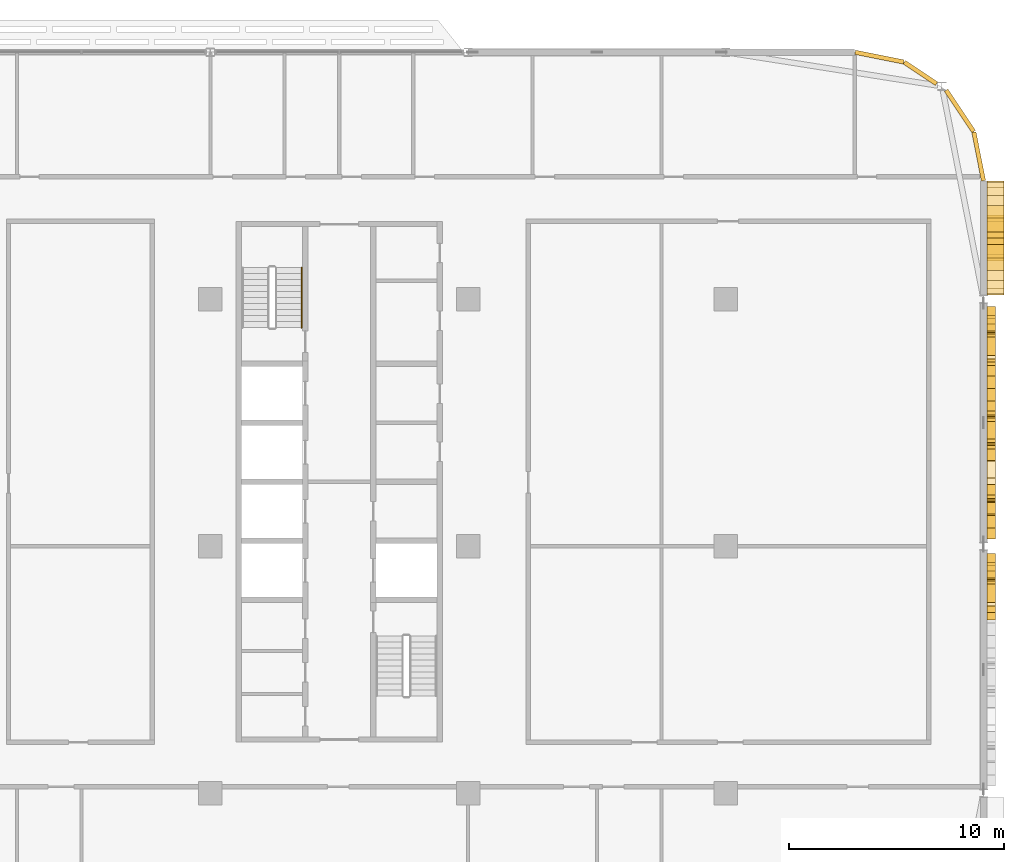
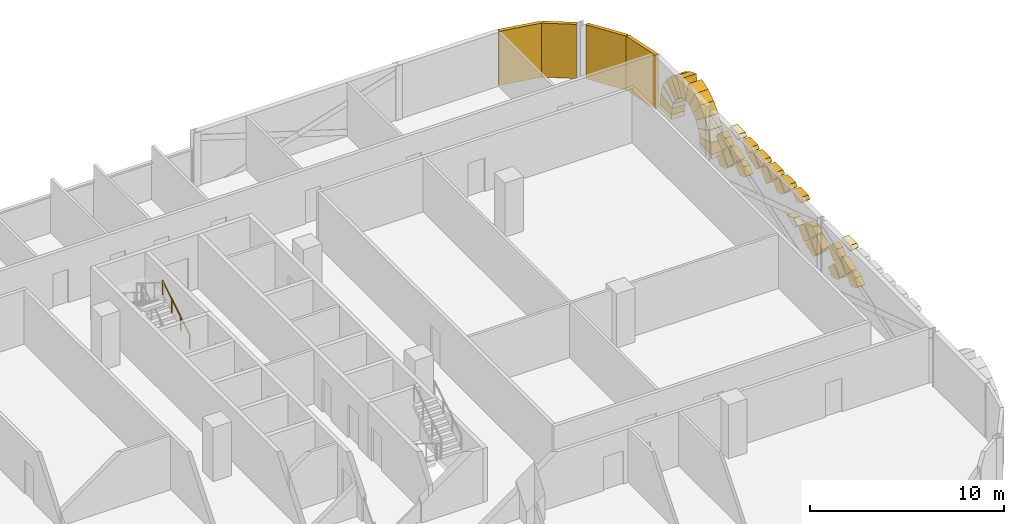
# One storey, part 30 of 30: 43 coverings, 1 railing.
"""IFC4 building model written with IfcOpenShell, lengths in metres."""

from ifc_helpers import new_model, si_unit, direction, frame, origin, origin_2d, place, context, subcontext, project, spatial, polyline, rectangle, circle, outline, extrude, material, layer, layer_set, type_object, element, save


model = new_model("IFC4")

# Units and contexts
model_context = context("Model", 3, precision=1e-05, world=origin(), true_north=direction((0.0, 1.0)))
body_context = subcontext(model_context, "Body", "Model", "MODEL_VIEW")
ifc_project = project(units=[si_unit("LENGTHUNIT", "METRE"), si_unit("AREAUNIT", "SQUARE_METRE"), si_unit("VOLUMEUNIT", "CUBIC_METRE"), si_unit("PLANEANGLEUNIT", "RADIAN"), si_unit("MASSUNIT", "GRAM", prefix="KILO")], contexts=[model_context])

# Site, building, storey
site_placement = place(None, origin())
site = spatial("IfcSite", under=ifc_project, at=site_placement, CompositionType="ELEMENT")
building_placement = place(site_placement, origin())
building = spatial("IfcBuilding", under=site, at=building_placement, Name="Mahtab Terrace Research Tower", CompositionType="ELEMENT")
storey_placement = place(building_placement, frame((0.0, 0.0, 220.5)))
storey = spatial("IfcBuildingStorey", under=building, at=storey_placement, Name="L53", CompositionType="ELEMENT", Elevation=220.5)

# Coverings
ifc_material_1 = material(Name="Black aluminium cladding panel", Category="aluminium")
ifc_layer_1 = layer(ifc_material_1, 0.199951171875)
ifc_layer_set_1 = layer_set([ifc_layer_1], Name="Black metal corner cladding 200")
covering_type_1 = type_object("IfcCoveringType", Name="Black metal corner cladding 200", PredefinedType="CLADDING", material=ifc_layer_set_1)
covering_1_placement = place(storey_placement, frame((52.89306640625, 20.26953125, 0.0), z_axis=(0.0, 0.0, 1.0), x_axis=(-0.555291490808, 0.831655794326, 0.0)))
element("IfcCovering", 1, at=covering_1_placement, inside=storey, type_object=covering_type_1, Name="Corner cladding L53 0", PredefinedType="CLADDING", context=body_context, shape_type="SweptSolid", body=[
    extrude(rectangle(XDim=2.30126953125, YDim=0.199951171875, at=origin_2d()), origin(), (0.0, 0.0, 1.0), 3.39990234375),
])
covering_2_placement = place(storey_placement, frame((51.059814453125, 22.032958984375, 0.0), z_axis=(0.0, 0.0, 1.0), x_axis=(-0.831655794326, 0.555291490808, 0.0)))
element("IfcCovering", 2, at=covering_2_placement, inside=storey, type_object=covering_type_1, Name="Corner cladding L53 1", PredefinedType="CLADDING", context=body_context, shape_type="SweptSolid", body=[
    extrude(rectangle(XDim=1.797119140625, YDim=0.199951171875, at=origin_2d()), origin(), (0.0, 0.0, 1.0), 3.39990234375),
])
for number, where, z_axis, x_axis, name in (
    (3, (49.14794921875, 22.771484375, 0.0), (0.0, 0.0, 1.0), (-0.980760981187, 0.195212442692, 0.0), "Corner cladding L53 2"),
    (4, (53.771484375, 18.14794921875, 0.0), (0.0, 0.0, 1.0), (-0.195212442692, 0.980760981187, 0.0), "Corner cladding L53 39"),
):
    element("IfcCovering", number, at=place(storey_placement, frame(where, z_axis=z_axis, x_axis=x_axis)), inside=storey, type_object=covering_type_1, Name=name, PredefinedType="CLADDING", context=body_context, shape_type="SweptSolid", body=[
        extrude(rectangle(XDim=2.30126953125, YDim=0.199951171875, at=origin_2d()), origin(), (0.0, 0.0, 1.0), 3.39990234375),
    ])
ifc_material_2 = material(Name="Bronze anodised aluminium", Category="aluminium")
ifc_layer_2 = layer(ifc_material_2, 0.39990234375)
ifc_layer_set_2 = layer_set([ifc_layer_2], Name="Mashrabiya relief panel 400")
covering_type_2 = type_object("IfcCoveringType", Name="Mashrabiya relief panel 400", PredefinedType="CLADDING", material=ifc_layer_set_2)
covering_3_placement = place(storey_placement, frame((54.14990234375, -3.429931640625, 1.14990234375), z_axis=(-1.0, 0.0, 0.0), x_axis=(0.0, 0.706856610759, 0.707356863137)))
element("IfcCovering", 5, at=covering_3_placement, inside=storey, type_object=covering_type_2, Name="Mashrabiya lattice cell L53 E36.14", PredefinedType="CLADDING", context=body_context, shape_type="SweptSolid", body=[
    extrude(outline(polyline([(0.0, 0.0), (0.48803491100524127, -2.7755575615628914e-17), (0.820294333510222, 0.1698162635092526), (0.8198915424105764, 0.8204717912020912), (0.25572532748254045, 0.8202722276311935), (-0.0001119949782822649, 0.31660980360404467), (0.0, 0.0)])), origin(), (0.0, 0.0, -1.0), 0.39990234375),
])
covering_4_placement = place(storey_placement, frame((54.14990234375, -1.6201171875, 1.800048828125), z_axis=(-1.0, 0.0, 0.0), x_axis=(0.0, -0.706957932274, -0.707255598772)))
element("IfcCovering", 6, at=covering_4_placement, inside=storey, type_object=covering_type_2, Name="Mashrabiya lattice cell L53 E36.15", PredefinedType="CLADDING", context=body_context, shape_type="SweptSolid", body=[
    extrude(outline(polyline([(0.0, 0.0), (0.8201817362875763, 0.0), (0.8200552134915144, 0.60110980408978), (-3.8371071981985194e-05, 0.18230096298644677), (0.0, 0.0)])), origin(), (0.0, 0.0, -1.0), 0.39990234375),
])
covering_5_placement = place(storey_placement, frame((54.14990234375, -2.780029296875, 3.10009765625), z_axis=(-1.0, 0.0, 0.0), x_axis=(0.0, 0.707629982438, 0.706583192523)))
element("IfcCovering", 7, at=covering_5_placement, inside=storey, type_object=covering_type_2, Name="Mashrabiya lattice cell L53 E36.16", PredefinedType="CLADDING", context=body_context, shape_type="SweptSolid", body=[
    extrude(outline(polyline([(0.0, 0.0), (0.23322791090833506, 0.0), (0.8206160799238383, 0.5865192516057169), (0.8207885855860753, 0.8195744012878711), (0.00030054319820840836, 0.40603386077957504), (0.0, 0.0)])), origin(), (0.0, 0.0, -1.0), 0.39990234375),
])
covering_6_placement = place(storey_placement, frame((54.14990234375, -1.550048828125, 1.72998046875), z_axis=(-1.0, 0.0, 0.0), x_axis=(0.0, 0.707106781187, -0.707106781187)))
element("IfcCovering", 8, at=covering_6_placement, inside=storey, type_object=covering_type_2, Name="Mashrabiya lattice cell L53 E36.17", PredefinedType="CLADDING", context=body_context, shape_type="SweptSolid", body=[
    extrude(outline(polyline([(0.0, 0.0), (0.8203543516109556, 0.0), (0.820181718119455, 0.820181718119455), (0.0001726334915006511, 0.820181718119455), (0.0, 0.0)])), origin(), (0.0, 0.0, -1.0), 0.39990234375),
])
covering_7_placement = place(storey_placement, frame((54.14990234375, -1.47998046875, 0.5), z_axis=(-1.0, 0.0, 0.0), x_axis=(0.0, 0.707106781187, 0.707106781187)))
element("IfcCovering", 9, at=covering_7_placement, inside=storey, type_object=covering_type_2, Name="Mashrabiya lattice cell L53 E36.18", PredefinedType="CLADDING", context=body_context, shape_type="SweptSolid", body=[
    extrude(outline(polyline([(0.0, 0.0), (0.8203543516109556, 0.0), (0.820181718119455, 0.7991204321563791), (0.7991204321563791, 0.820181718119455), (0.30400757853259525, 0.8201817181194548), (0.2418595215923714, 0.7580336611792311), (0.0, 0.28277365907801877), (0.0, 0.0)])), origin(), (0.0, 0.0, -1.0), 0.39990234375),
])
covering_8_placement = place(storey_placement, frame((54.14990234375, -0.89990234375, 1.219970703125), z_axis=(-1.0, 0.0, 0.0), x_axis=(0.0, -0.707106781187, 0.707106781187)))
element("IfcCovering", 10, at=covering_8_placement, inside=storey, type_object=covering_type_2, Name="Mashrabiya lattice cell L53 E36.19", PredefinedType="CLADDING", context=body_context, shape_type="SweptSolid", body=[
    extrude(outline(polyline([(0.0, 0.0), (0.8203543516109556, 0.0), (0.8203543516109555, 0.45540715057864073), (0.6337375472987833, 0.820181718119455), (0.021233919454576533, 0.820181718119455), (0.0, 0.7989477986648784), (0.0, 0.0)])), origin(), (0.0, 0.0, -1.0), 0.39990234375),
])
covering_9_placement = place(storey_placement, frame((54.14990234375, 0.85009765625, 1.72998046875), z_axis=(-1.0, 0.0, 0.0), x_axis=(0.0, 0.706957932274, -0.707255598772)))
element("IfcCovering", 11, at=covering_9_placement, inside=storey, type_object=covering_type_2, Name="Mashrabiya lattice cell L53 E37.1", PredefinedType="CLADDING", context=body_context, shape_type="SweptSolid", body=[
    extrude(outline(polyline([(0.0, 0.0), (0.8201817362875763, 0.0), (0.8203543334390104, 0.8200090664636573), (0.09201368526784859, 0.8203350025580498), (-1.9330880960621855e-05, 0.7283407208436468), (0.0, 0.0)])), origin(), (0.0, 0.0, -1.0), 0.39990234375),
])
covering_10_placement = place(storey_placement, frame((54.14990234375, 0.919921875, 0.5), z_axis=(-1.0, 0.0, 0.0), x_axis=(0.0, 0.707106781187, 0.707106781187)))
element("IfcCovering", 12, at=covering_10_placement, inside=storey, type_object=covering_type_2, Name="Mashrabiya lattice cell L53 E37.2", PredefinedType="CLADDING", context=body_context, shape_type="SweptSolid", body=[
    extrude(outline(polyline([(0.0, 0.0), (0.8203543516109556, 0.0), (0.820181718119455, 0.756652593247226), (0.0, 0.3380163763582178), (0.0, 0.0)])), origin(), (0.0, 0.0, -1.0), 0.39990234375),
])
covering_11_placement = place(storey_placement, frame((54.14990234375, 2.080078125, 1.800048828125), z_axis=(-1.0, 0.0, 0.0), x_axis=(0.0, -0.707106781187, -0.707106781187)))
element("IfcCovering", 13, at=covering_11_placement, inside=storey, type_object=covering_type_2, Name="Mashrabiya lattice cell L53 E37.3", PredefinedType="CLADDING", context=body_context, shape_type="SweptSolid", body=[
    extrude(outline(polyline([(0.0, 0.0), (0.8203543516109556, 0.0), (0.8203543516109556, 0.8203543516109556), (0.39464016157042175, 0.8203543516109555), (0.0, 0.045229974773162956), (0.0, 0.0)])), origin(), (0.0, 0.0, -1.0), 0.39990234375),
])
covering_12_placement = place(storey_placement, frame((54.14990234375, 1.570068359375, 1.14990234375), z_axis=(-1.0, 0.0, 0.0), x_axis=(0.0, 0.706957932274, 0.707255598772)))
element("IfcCovering", 14, at=covering_12_placement, inside=storey, type_object=covering_type_2, Name="Mashrabiya lattice cell L53 E37.4", PredefinedType="CLADDING", context=body_context, shape_type="SweptSolid", body=[
    extrude(outline(polyline([(0.0, 0.0), (0.8201817362875763, 0.0), (0.8200090664636573, 0.8203543334390104), (0.02675822692610913, 0.8200147349174729), (-0.00016961757955680223, 0.8058531204741795), (0.0, 0.0)])), origin(), (0.0, 0.0, -1.0), 0.39990234375),
])
covering_13_placement = place(storey_placement, frame((54.14990234375, 2.219970703125, 3.10009765625), z_axis=(-1.0, 0.0, 0.0), x_axis=(0.0, 0.707629982438, 0.706583192523)))
element("IfcCovering", 15, at=covering_13_placement, inside=storey, type_object=covering_type_2, Name="Mashrabiya lattice cell L53 E37.5", PredefinedType="CLADDING", context=body_context, shape_type="SweptSolid", body=[
    extrude(outline(polyline([(0.0, 0.0), (0.23322791090833506, 0.0), (0.8206160799238383, 0.5865192516057169), (0.8207885855860753, 0.8195744012878711), (0.20707681920504167, 0.8202012996426374), (0.00013519332640499204, 0.4158740948814602), (0.0, 0.0)])), origin(), (0.0, 0.0, -1.0), 0.39990234375),
])
covering_14_placement = place(storey_placement, frame((54.14990234375, 2.8701171875, 1.14990234375), z_axis=(-1.0, 0.0, 0.0), x_axis=(0.0, 0.707106781187, 0.707106781187)))
element("IfcCovering", 16, at=covering_14_placement, inside=storey, type_object=covering_type_2, Name="Mashrabiya lattice cell L53 E37.6", PredefinedType="CLADDING", context=body_context, shape_type="SweptSolid", body=[
    extrude(outline(polyline([(0.0, 0.0), (0.4426322722075947, 0.0), (0.8203543516109556, 0.7409429455206694), (0.8203543516109556, 0.7733980419227865), (0.0, 0.3549344585252788), (0.0, 0.0)])), origin(), (0.0, 0.0, -1.0), 0.39990234375),
])
covering_15_placement = place(storey_placement, frame((54.14990234375, 4.679931640625, 3.10009765625), z_axis=(-1.0, 0.0, 0.0), x_axis=(0.0, -0.706957932274, -0.707255598772)))
element("IfcCovering", 17, at=covering_15_placement, inside=storey, type_object=covering_type_2, Name="Mashrabiya lattice cell L53 E37.7", PredefinedType="CLADDING", context=body_context, shape_type="SweptSolid", body=[
    extrude(outline(polyline([(0.0, 0.0), (0.8201817362875763, 0.0), (0.8200090664636573, 0.8203543334390104), (0.586781260948868, 0.8201326096878417), (0.00012354322418443864, 0.2332278781872742), (0.0, 0.0)])), origin(), (0.0, 0.0, -1.0), 0.39990234375),
])
covering_16_placement = place(storey_placement, frame((54.14990234375, 4.169921875, 2.449951171875), z_axis=(-1.0, 0.0, 0.0), x_axis=(0.0, 0.707106781187, 0.707106781187)))
element("IfcCovering", 18, at=covering_16_placement, inside=storey, type_object=covering_type_2, Name="Mashrabiya lattice cell L53 E37.8", PredefinedType="CLADDING", context=body_context, shape_type="SweptSolid", body=[
    extrude(outline(polyline([(0.0, 0.0), (0.8203543516109556, 0.0), (0.8203543516109556, 0.8203543516109556), (0.2221793035613005, 0.8201817181194551), (0.0, 0.3832463511313808), (0.0, 0.0)])), origin(), (0.0, 0.0, -1.0), 0.39990234375),
])
covering_17_placement = place(storey_placement, frame((54.14990234375, 5.97998046875, 3.10009765625), z_axis=(-1.0, 0.0, 0.0), x_axis=(0.0, -0.707106781187, -0.707106781187)))
element("IfcCovering", 19, at=covering_17_placement, inside=storey, type_object=covering_type_2, Name="Mashrabiya lattice cell L53 E37.9", PredefinedType="CLADDING", context=body_context, shape_type="SweptSolid", body=[
    extrude(outline(polyline([(0.0, 0.0), (0.8203543516109556, 0.0), (0.820181718119455, 0.820181718119455), (0.5869538711021147, 0.8200090846279544), (0.00017263349150062335, 0.23322784701734028), (0.0, 0.0)])), origin(), (0.0, 0.0, -1.0), 0.39990234375),
])
covering_18_placement = place(storey_placement, frame((54.14990234375, 6.050048828125, 3.030029296875), z_axis=(-1.0, 0.0, 0.0), x_axis=(0.0, 0.706957932274, -0.707255598772)))
element("IfcCovering", 20, at=covering_18_placement, inside=storey, type_object=covering_type_2, Name="Mashrabiya lattice cell L53 E37.10", PredefinedType="CLADDING", context=body_context, shape_type="SweptSolid", body=[
    extrude(outline(polyline([(0.0, 0.0), (0.8201817362875763, 0.0), (0.8203543334390104, 0.8200090664636573), (0.00017266982391900276, 0.8203543334390104), (0.0, 0.0)])), origin(), (0.0, 0.0, -1.0), 0.39990234375),
])
covering_19_placement = place(storey_placement, frame((54.14990234375, 7.280029296875, 3.10009765625), z_axis=(-1.0, 0.0, 0.0), x_axis=(0.0, -0.707106781187, -0.707106781187)))
element("IfcCovering", 21, at=covering_19_placement, inside=storey, type_object=covering_type_2, Name="Mashrabiya lattice cell L53 E37.11", PredefinedType="CLADDING", context=body_context, shape_type="SweptSolid", body=[
    extrude(outline(polyline([(0.0, 0.0), (0.8203543516109556, 0.0), (0.820181718119455, 0.820181718119455), (0.5871265045936153, 0.820181718119455), (0.00017263349150062335, 0.23322784701734028), (0.0, 0.0)])), origin(), (0.0, 0.0, -1.0), 0.39990234375),
])
covering_20_placement = place(storey_placement, frame((54.14990234375, 6.77001953125, 2.449951171875), z_axis=(-1.0, 0.0, 0.0), x_axis=(0.0, 0.707106781187, 0.707106781187)))
element("IfcCovering", 22, at=covering_20_placement, inside=storey, type_object=covering_type_2, Name="Mashrabiya lattice cell L53 E37.12", PredefinedType="CLADDING", context=body_context, shape_type="SweptSolid", body=[
    extrude(outline(polyline([(0.0, 0.0), (0.8203543516109556, 0.0), (0.820181718119455, 0.807406839748409), (0.0, 0.38877062285940067), (0.0, 0.0)])), origin(), (0.0, 0.0, -1.0), 0.39990234375),
])
covering_21_placement = place(storey_placement, frame((54.14990234375, 8.580078125, 3.10009765625), z_axis=(-1.0, 0.0, 0.0), x_axis=(0.0, -0.707106781187, -0.707106781187)))
element("IfcCovering", 23, at=covering_21_placement, inside=storey, type_object=covering_type_2, Name="Mashrabiya lattice cell L53 E37.13", PredefinedType="CLADDING", context=body_context, shape_type="SweptSolid", body=[
    extrude(outline(polyline([(0.0, 0.0), (0.8203543516109556, 0.0), (0.8203543516109556, 0.8203543516109556), (0.5871265045936153, 0.820181718119455), (0.00017263349150062335, 0.23322784701734028), (0.0, 0.0)])), origin(), (0.0, 0.0, -1.0), 0.39990234375),
])
covering_22_placement = place(storey_placement, frame((54.14990234375, 8.070068359375, 1.14990234375), z_axis=(-1.0, 0.0, 0.0), x_axis=(0.0, 0.706856610759, 0.707356863137)))
element("IfcCovering", 24, at=covering_22_placement, inside=storey, type_object=covering_type_2, Name="Mashrabiya lattice cell L53 E37.14", PredefinedType="CLADDING", context=body_context, shape_type="SweptSolid", body=[
    extrude(outline(polyline([(0.0, 0.0), (0.48803491100524127, -2.7755575615628914e-17), (0.820294333510222, 0.1698162635092526), (0.8198915424105764, 0.8204717912020912), (0.25572532748254045, 0.8202722276311935), (-0.0001119949782822649, 0.31660980360404467), (0.0, 0.0)])), origin(), (0.0, 0.0, -1.0), 0.39990234375),
])
covering_23_placement = place(storey_placement, frame((54.14990234375, 9.8798828125, 1.800048828125), z_axis=(-1.0, 0.0, 0.0), x_axis=(0.0, -0.706957932274, -0.707255598772)))
element("IfcCovering", 25, at=covering_23_placement, inside=storey, type_object=covering_type_2, Name="Mashrabiya lattice cell L53 E37.15", PredefinedType="CLADDING", context=body_context, shape_type="SweptSolid", body=[
    extrude(outline(polyline([(0.0, 0.0), (0.8201817362875763, 0.0), (0.8200552134915144, 0.60110980408978), (-3.8371071981985194e-05, 0.18230096298644677), (0.0, 0.0)])), origin(), (0.0, 0.0, -1.0), 0.39990234375),
])
covering_24_placement = place(storey_placement, frame((54.14990234375, 8.719970703125, 3.10009765625), z_axis=(-1.0, 0.0, 0.0), x_axis=(0.0, 0.707629982438, 0.706583192523)))
element("IfcCovering", 26, at=covering_24_placement, inside=storey, type_object=covering_type_2, Name="Mashrabiya lattice cell L53 E37.16", PredefinedType="CLADDING", context=body_context, shape_type="SweptSolid", body=[
    extrude(outline(polyline([(0.0, 0.0), (0.23322791090833506, 0.0), (0.8206160799238383, 0.5865192516057169), (0.8207885855860753, 0.8195744012878711), (0.00030054319820840836, 0.40603386077957504), (0.0, 0.0)])), origin(), (0.0, 0.0, -1.0), 0.39990234375),
])
covering_25_placement = place(storey_placement, frame((54.14990234375, 9.949951171875, 1.72998046875), z_axis=(-1.0, 0.0, 0.0), x_axis=(0.0, 0.707106781187, -0.707106781187)))
element("IfcCovering", 27, at=covering_25_placement, inside=storey, type_object=covering_type_2, Name="Mashrabiya lattice cell L53 E37.17", PredefinedType="CLADDING", context=body_context, shape_type="SweptSolid", body=[
    extrude(outline(polyline([(0.0, 0.0), (0.8203543516109556, 0.0), (0.820181718119455, 0.820181718119455), (0.0001726334915006511, 0.820181718119455), (0.0, 0.0)])), origin(), (0.0, 0.0, -1.0), 0.39990234375),
])
covering_26_placement = place(storey_placement, frame((54.14990234375, 10.02001953125, 0.5), z_axis=(-1.0, 0.0, 0.0), x_axis=(0.0, 0.707106781187, 0.707106781187)))
element("IfcCovering", 28, at=covering_26_placement, inside=storey, type_object=covering_type_2, Name="Mashrabiya lattice cell L53 E37.18", PredefinedType="CLADDING", context=body_context, shape_type="SweptSolid", body=[
    extrude(outline(polyline([(0.0, 0.0), (0.8203543516109556, 0.0), (0.820181718119455, 0.7991204321563791), (0.7991204321563791, 0.820181718119455), (0.30400757853259525, 0.8201817181194548), (0.2418595215923714, 0.7580336611792311), (0.0, 0.28277365907801877), (0.0, 0.0)])), origin(), (0.0, 0.0, -1.0), 0.39990234375),
])
covering_27_placement = place(storey_placement, frame((54.14990234375, 10.60009765625, 1.219970703125), z_axis=(-1.0, 0.0, 0.0), x_axis=(0.0, -0.707106781187, 0.707106781187)))
element("IfcCovering", 29, at=covering_27_placement, inside=storey, type_object=covering_type_2, Name="Mashrabiya lattice cell L53 E37.19", PredefinedType="CLADDING", context=body_context, shape_type="SweptSolid", body=[
    extrude(outline(polyline([(0.0, 0.0), (0.8203543516109556, 0.0), (0.8203543516109555, 0.45540715057864073), (0.6337375472987833, 0.820181718119455), (0.021233919454576533, 0.820181718119455), (0.0, 0.7989477986648784), (0.0, 0.0)])), origin(), (0.0, 0.0, -1.0), 0.39990234375),
])
ifc_material_3 = material(Name="Glazed ceramic tile cladding", Category="masonry")
ifc_layer_3 = layer(ifc_material_3, 0.800048828125)
ifc_layer_set_3 = layer_set([ifc_layer_3], Name="Pishtaq frame arch course 800")
covering_type_3 = type_object("IfcCoveringType", Name="Pishtaq frame arch course 800", PredefinedType="CLADDING", material=ifc_layer_set_3)
covering_28_placement = place(storey_placement, frame((54.14990234375, 11.699951171875, 0.291015625), z_axis=(-1.0, 0.0, 0.0), x_axis=(0.0, 0.110665855851, 0.993857670066)))
element("IfcCovering", 30, at=covering_28_placement, inside=storey, type_object=covering_type_3, Name="Pishtaq frame arch course 38a1", PredefinedType="CLADDING", context=body_context, shape_type="SweptSolid", body=[
    extrude(outline(polyline([(0.0, 0.0), (0.6860990121249132, 1.3877787807814457e-17), (0.5543801156048798, 1.1930474536272608), (0.13279362341438164, 1.1925806758725657), (0.0, 0.0)])), origin(), (0.0, 0.0, -1.0), 0.800048828125),
])
covering_29_placement = place(storey_placement, frame((54.14990234375, 11.77587890625, 0.972900390625), z_axis=(-1.0, 0.0, 0.0), x_axis=(0.0, 0.324633045019, 0.945840042545)))
element("IfcCovering", 31, at=covering_29_placement, inside=storey, type_object=covering_type_3, Name="Pishtaq frame arch course 38a2", PredefinedType="CLADDING", context=body_context, shape_type="SweptSolid", body=[
    extrude(outline(polyline([(0.0, 0.0), (0.6873746671008136, 0.0), (0.5532755759058785, 1.1931128764356689), (0.13149291775784852, 1.1930723812436834), (0.0, 0.0)])), origin(), (0.0, 0.0, -1.0), 0.800048828125),
])
covering_30_placement = place(storey_placement, frame((54.14990234375, 11.9990234375, 1.623046875), z_axis=(-1.0, 0.0, 0.0), x_axis=(0.0, 0.525901613665, 0.850545408984)))
element("IfcCovering", 32, at=covering_30_placement, inside=storey, type_object=covering_type_3, Name="Pishtaq frame arch course 38a3", PredefinedType="CLADDING", context=body_context, shape_type="SweptSolid", body=[
    extrude(outline(polyline([(0.0, 0.0), (0.6865998791263118, 0.0), (0.5557503853582076, 1.1917508083201727), (0.1332661474141386, 1.193206200172165), (0.0, 0.0)])), origin(), (0.0, 0.0, -1.0), 0.800048828125),
])
covering_31_placement = place(storey_placement, frame((54.14990234375, 12.360107421875, 2.20703125), z_axis=(-1.0, 0.0, 0.0), x_axis=(0.0, 0.697621486384, 0.716466511245)))
element("IfcCovering", 33, at=covering_31_placement, inside=storey, type_object=covering_type_3, Name="Pishtaq frame arch course 38a4", PredefinedType="CLADDING", context=body_context, shape_type="SweptSolid", body=[
    extrude(outline(polyline([(0.0, 0.0), (0.686624359483349, -5.551115123125783e-17), (0.5526392432272162, 1.19259897101942), (0.1303508029322591, 1.1918054569962622), (0.0, 0.0)])), origin(), (0.0, 0.0, -1.0), 0.800048828125),
])
covering_32_placement = place(storey_placement, frame((54.14990234375, 12.839111328125, 2.698974609375), z_axis=(-1.0, 0.0, 0.0), x_axis=(0.0, 0.838662856336, 0.544650909668)))
element("IfcCovering", 34, at=covering_32_placement, inside=storey, type_object=covering_type_3, Name="Pishtaq frame arch course 38a5", PredefinedType="CLADDING", context=body_context, shape_type="SweptSolid", body=[
    extrude(outline(polyline([(0.0, 0.0), (0.6867214042256415, 0.0), (0.5549356235707978, 1.1926654811325017), (0.13278662489047666, 1.1927330083907899), (0.0, 0.0)])), origin(), (0.0, 0.0, -1.0), 0.800048828125),
])
covering_33_placement = place(storey_placement, frame((54.14990234375, 13.4150390625, 3.072998046875), z_axis=(-1.0, 0.0, 0.0), x_axis=(0.0, 0.937521349918, 0.347927748889)))
element("IfcCovering", 35, at=covering_33_placement, inside=storey, type_object=covering_type_3, Name="Pishtaq frame arch course 38a6", PredefinedType="CLADDING", context=body_context, shape_type="SweptSolid", body=[
    extrude(outline(polyline([(0.0, 0.0), (0.6869635222771903, -2.7755575615628914e-17), (0.5547872386830266, 1.1925858576872468), (0.13239658087076883, 1.192597831308425), (0.0, 0.0)])), origin(), (0.0, 0.0, -1.0), 0.800048828125),
])
covering_34_placement = place(storey_placement, frame((54.14990234375, 15.800048828125, 0.291015625), z_axis=(-1.0, 0.0, 0.0), x_axis=(0.0, -0.111766179934, 0.99373453247)))
element("IfcCovering", 36, at=covering_34_placement, inside=storey, type_object=covering_type_3, Name="Pishtaq frame arch course 38b1", PredefinedType="CLADDING", context=body_context, shape_type="SweptSolid", body=[
    extrude(outline(polyline([(0.0, 0.0), (0.4215867505970286, 0.0), (0.5519846330010274, 1.1931925605582272), (-0.13411395858774453, 1.1924329167697907), (0.0, 0.0)])), origin(), (0.0, 0.0, -1.0), 0.800048828125),
])
covering_35_placement = place(storey_placement, frame((54.14990234375, 15.7529296875, 0.7099609375), z_axis=(-1.0, 0.0, 0.0), x_axis=(0.0, -0.324723853264, 0.945808870291)))
element("IfcCovering", 37, at=covering_35_placement, inside=storey, type_object=covering_type_3, Name="Pishtaq frame arch course 38b2", PredefinedType="CLADDING", context=body_context, shape_type="SweptSolid", body=[
    extrude(outline(polyline([(0.0, 0.0), (0.42178266009199405, 0.0), (0.5557672003576313, 1.1931257457391946), (-0.13160746357512518, 1.1930597511601286), (0.0, 0.0)])), origin(), (0.0, 0.0, -1.0), 0.800048828125),
])
covering_36_placement = place(storey_placement, frame((54.14990234375, 15.615966796875, 1.10888671875), z_axis=(-1.0, 0.0, 0.0), x_axis=(0.0, -0.522968515293, 0.852352000063)))
element("IfcCovering", 38, at=covering_36_placement, inside=storey, type_object=covering_type_3, Name="Pishtaq frame arch course 38b3", PredefinedType="CLADDING", context=body_context, shape_type="SweptSolid", body=[
    extrude(outline(polyline([(0.0, 0.0), (0.4224867447348184, 0.0), (0.5573131542787463, 1.191501077631008), (-0.12915497310282809, 1.1936581986057446), (0.0, 0.0)])), origin(), (0.0, 0.0, -1.0), 0.800048828125),
])
covering_37_placement = place(storey_placement, frame((54.14990234375, 15.39501953125, 1.468994140625), z_axis=(-1.0, 0.0, 0.0), x_axis=(0.0, -0.698670686153, 0.715443409579)))
element("IfcCovering", 39, at=covering_37_placement, inside=storey, type_object=covering_type_3, Name="Pishtaq frame arch course 38b4", PredefinedType="CLADDING", context=body_context, shape_type="SweptSolid", body=[
    extrude(outline(polyline([(0.0, 0.0), (0.4221185758111462, 2.7755575615628914e-17), (0.5543558490217229, 1.192794039484009), (-0.1322677731790911, 1.1917878229301575), (0.0, 0.0)])), origin(), (0.0, 0.0, -1.0), 0.800048828125),
])
covering_38_placement = place(storey_placement, frame((54.14990234375, 15.10009765625, 1.77099609375), z_axis=(-1.0, 0.0, 0.0), x_axis=(0.0, -0.838575722855, 0.544785055814)))
element("IfcCovering", 40, at=covering_38_placement, inside=storey, type_object=covering_type_3, Name="Pishtaq frame arch course 38b5", PredefinedType="CLADDING", context=body_context, shape_type="SweptSolid", body=[
    extrude(outline(polyline([(0.0, 0.0), (0.4221490040811757, 0.0), (0.5543302930791645, 1.192511381161612), (-0.1325958327618464, 1.192754233775316), (0.0, 0.0)])), origin(), (0.0, 0.0, -1.0), 0.800048828125),
])
covering_39_placement = place(storey_placement, frame((54.14990234375, 14.74609375, 2.0009765625), z_axis=(-1.0, 0.0, 0.0), x_axis=(0.0, -0.937511486741, 0.347954324919)))
element("IfcCovering", 41, at=covering_39_placement, inside=storey, type_object=covering_type_3, Name="Pishtaq frame arch course 38b6", PredefinedType="CLADDING", context=body_context, shape_type="SweptSolid", body=[
    extrude(outline(polyline([(0.0, 0.0), (0.4223906579819675, 0.0), (0.5546007480739337, 1.1925821103715522), (-0.13213388928692826, 1.1925166341242603), (0.0, 0.0)])), origin(), (0.0, 0.0, -1.0), 0.800048828125),
])
ifc_layer_4 = layer(ifc_material_3, 0.800048828125)
ifc_layer_set_4 = layer_set([ifc_layer_4], Name="Pishtaq frame pier 800")
covering_type_4 = type_object("IfcCoveringType", Name="Pishtaq frame pier 800", PredefinedType="CLADDING", material=ifc_layer_set_4)
for number, where, z_axis, x_axis, name in (
    (42, (54.550048828125, 12.300048828125, -0.00048828125), (0.0, 0.0, 1.0), (0.0, 1.0, 0.0), "Pishtaq frame pier 38a"),
    (43, (54.550048828125, 16.39990234375, -0.00048828125), (0.0, 0.0, 1.0), (0.0, 1.0, 0.0), "Pishtaq frame pier 38b"),
):
    element("IfcCovering", number, at=place(storey_placement, frame(where, z_axis=z_axis, x_axis=x_axis)), inside=storey, type_object=covering_type_4, Name=name, PredefinedType="CLADDING", context=body_context, shape_type="SweptSolid", body=[
        extrude(rectangle(XDim=1.199951171875, YDim=0.800048828125, at=origin_2d()), origin(), (0.0, 0.0, 1.0), 0.291015625),
    ])

# Railing
ifc_material_4 = material(Name="Stainless steel AISI 304", Category="steel")
railing_type = type_object("IfcRailingType", Name="Stair handrail 900", PredefinedType="HANDRAIL", material=ifc_material_4)
railing_placement = place(storey_placement, frame((22.25, 10.175048828125, 0.172607421875)))
element("IfcRailing", 44, at=railing_placement, inside=storey, type_object=railing_type, Name="L53 ST3 stair handrail 1", PredefinedType="HANDRAIL", context=body_context, shape_type="SweptSolid", body=[
    extrude(circle(Radius=0.02392578125, at=origin_2d()), frame((0.0, 0.0, 0.8759765625), z_axis=(0.0, 0.851089632645, 0.525020415988), x_axis=(-1.0, 0.0, 0.0)), (0.0, 0.0, 1.0), 3.2900390625),
    extrude(circle(Radius=0.02099609375, at=origin_2d()), origin(), (0.0, 0.0, 1.0), 0.851806640625),
    extrude(circle(Radius=0.02099609375, at=origin_2d()), frame((0.0, 0.933349609375, 0.57568359375)), (0.0, 0.0, 1.0), 0.851806640625),
    extrude(circle(Radius=0.02099609375, at=origin_2d()), frame((0.0, 1.86669921875, 1.151611328125)), (0.0, 0.0, 1.0), 0.851806640625),
    extrude(circle(Radius=0.02099609375, at=origin_2d()), frame((0.0, 2.800048828125, 1.727294921875)), (0.0, 0.0, 1.0), 0.851806640625),
])

save(model, "model.ifc")
